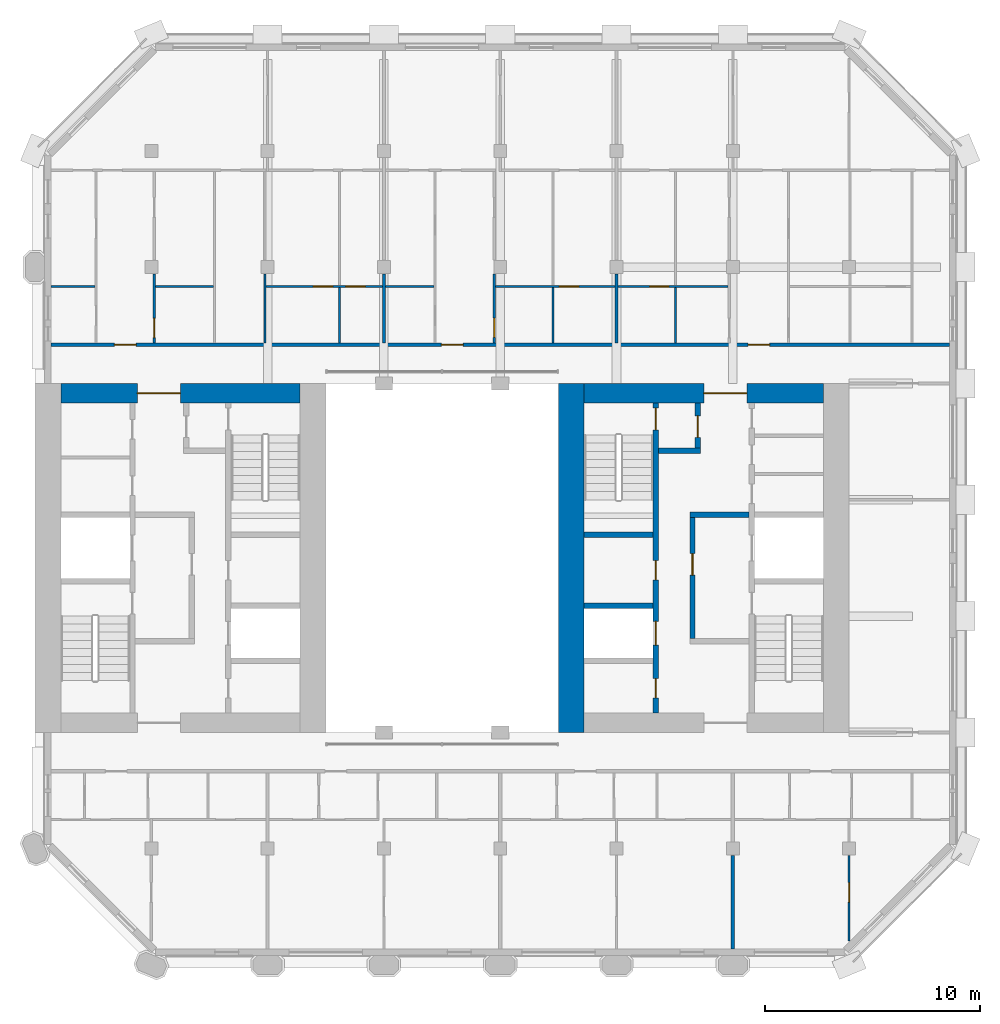
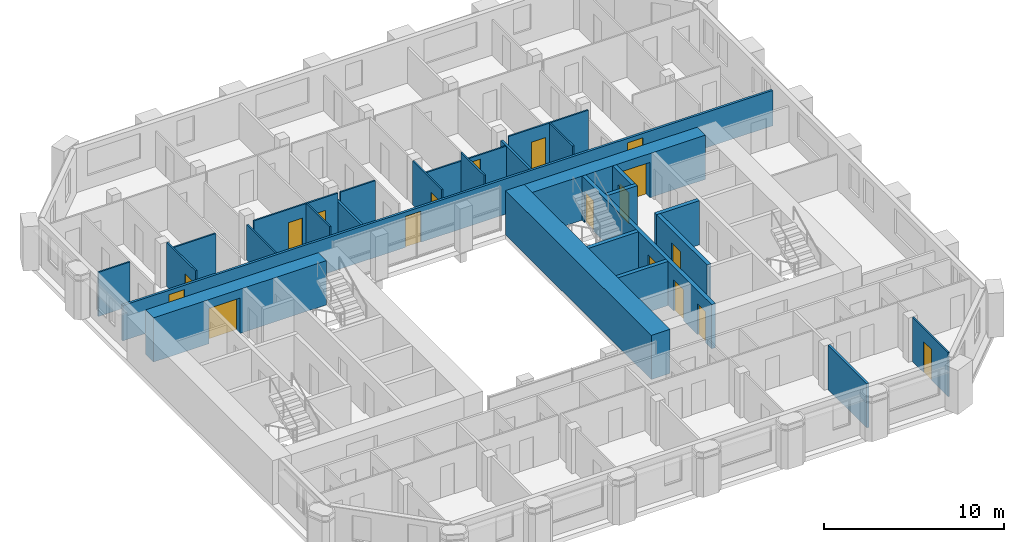
# One storey, part 6 of 13: 27 walls, 18 doors, 18 openings.
"""IFC4 building model written with IfcOpenShell, lengths in metres."""

from ifc_helpers import new_model, si_unit, direction, frame, frame_2d, origin, place, context, subcontext, project, spatial, rectangle, extrude, material, layer, layer_set, type_object, element, fill, save


model = new_model("IFC4")

# Units and contexts
model_context = context("Model", 3, precision=1e-05, world=origin(), true_north=direction((0.0, 1.0)))
body_context = subcontext(model_context, "Body", "Model", "MODEL_VIEW")
ifc_project = project(units=[si_unit("LENGTHUNIT", "METRE"), si_unit("AREAUNIT", "SQUARE_METRE"), si_unit("VOLUMEUNIT", "CUBIC_METRE"), si_unit("PLANEANGLEUNIT", "RADIAN"), si_unit("MASSUNIT", "GRAM", prefix="KILO")], contexts=[model_context])

# Site, building, storey
site_placement = place(None, origin())
site = spatial("IfcSite", under=ifc_project, at=site_placement, CompositionType="ELEMENT")
building_placement = place(site_placement, origin())
building = spatial("IfcBuilding", under=site, at=building_placement, Name="Tabaq Tower and Sports Hall", CompositionType="ELEMENT")
storey_placement = place(building_placement, frame((0.0, 0.0, 298.300048828125)))
storey = spatial("IfcBuildingStorey", under=building, at=storey_placement, Name="L74", CompositionType="ELEMENT", Elevation=298.300048828125)

# Wall
ifc_material_1 = material(Name="Concrete C40/50", Category="concrete")
ifc_layer_1 = layer(ifc_material_1, 1.199951171875)
ifc_layer_set_1 = layer_set([ifc_layer_1], Name="Core wall 1200 Concrete C40/50")
wall_type_1 = type_object("IfcWallType", Name="Core wall 1200 Concrete C40/50", PredefinedType="SOLIDWALL", material=ifc_layer_set_1)
wall_1_placement = place(storey_placement, frame((30.300048828125, 16.199951171875, 0.0), z_axis=(0.0, 0.0, 1.0), x_axis=(0.0, 1.0, 0.0)))
element("IfcWall", 1, at=wall_1_placement, inside=storey, type_object=wall_type_1, Name="Core wall E L74", PredefinedType="SOLIDWALL", context=body_context, shape_type="SweptSolid", body=[
    extrude(rectangle(XDim=16.199951171875, YDim=1.199951171875, at=frame_2d((8.10009765625, 0.0))), origin(), (0.0, 0.0, 1.0), 3.0),
])

# Wall, opening, door
ifc_material_2 = material(Name="Concrete C40/50", Category="concrete")
ifc_layer_2 = layer(ifc_material_2, 0.89990234375)
ifc_layer_set_2 = layer_set([ifc_layer_2], Name="Core wall 900 Concrete C40/50")
wall_type_2 = type_object("IfcWallType", Name="Core wall 900 Concrete C40/50", PredefinedType="SOLIDWALL", material=ifc_layer_set_2)
wall_2_placement = place(storey_placement, frame((6.60009765625, 31.949951171875, 0.0), z_axis=(0.0, 0.0, 1.0), x_axis=(1.0, 0.0, 0.0)))
wall_2 = element("IfcWall", 2, at=wall_2_placement, inside=storey, type_object=wall_type_2, Name="Core wall W L74", PredefinedType="SOLIDWALL", context=body_context, shape_type="SweptSolid", body=[
    extrude(rectangle(XDim=11.099853515625, YDim=0.89990234375, at=frame_2d((5.5498046875, 0.0))), origin(), (0.0, 0.0, 1.0), 3.0),
])
opening_1_placement = place(wall_2_placement, frame((3.550048828125, 0.0, 0.0)))
opening_1 = element("IfcOpeningElement", 3, at=opening_1_placement, cuts=wall_2, Name="Opening PD-WL74-02", PredefinedType="OPENING", context=body_context, shape_type="SweptSolid", body=[
    extrude(rectangle(XDim=2.0, YDim=2.39990234375, at=frame_2d((1.0, 1.199951171875))), frame((0.0, 0.449951171875, 0.0), z_axis=(0.0, -1.0, 0.0), x_axis=(1.0, 0.0, 0.0)), (0.0, 0.0, 1.0), 0.89990234375),
])
ifc_material_3 = material(Name="Steel fire door", Category="steel")
door_type_1 = type_object("IfcDoorType", Name="Core entrance door 2000", OperationType="DOUBLE_DOOR_SINGLE_SWING", PredefinedType="DOOR", material=ifc_material_3)
door_1_placement = place(opening_1_placement, origin())
door_1 = element("IfcDoor", 4, at=door_1_placement, inside=storey, type_object=door_type_1, Name="Core entrance north W L74", OperationType="DOUBLE_DOOR_SINGLE_SWING", OverallHeight=2.39990234375, OverallWidth=2.0, PredefinedType="DOOR", context=body_context, shape_type="SweptSolid", body=[
    extrude(rectangle(XDim=2.0, YDim=2.39990234375, at=frame_2d((1.0, 1.199951171875))), frame((0.0, 0.02490234375, 0.0), z_axis=(0.0, -1.0, 0.0), x_axis=(1.0, 0.0, 0.0)), (0.0, 0.0, 1.0), 0.050048828125),
])
fill(opening_1, door_1)

wall_3_placement = place(storey_placement, frame((30.89990234375, 31.949951171875, 0.0), z_axis=(0.0, 0.0, 1.0), x_axis=(1.0, 0.0, 0.0)))
wall_3 = element("IfcWall", 5, at=wall_3_placement, inside=storey, type_object=wall_type_2, Name="Core wall E L74", PredefinedType="SOLIDWALL", context=body_context, shape_type="SweptSolid", body=[
    extrude(rectangle(XDim=11.10009765625, YDim=0.89990234375, at=frame_2d((5.550048828125, 0.0))), origin(), (0.0, 0.0, 1.0), 3.0),
])
opening_2_placement = place(wall_3_placement, frame((5.550048828125, 0.0, 0.0)))
opening_2 = element("IfcOpeningElement", 6, at=opening_2_placement, cuts=wall_3, Name="Opening PD-EL74-02", PredefinedType="OPENING", context=body_context, shape_type="SweptSolid", body=[
    extrude(rectangle(XDim=2.0, YDim=2.39990234375, at=frame_2d((1.0, 1.199951171875))), frame((0.0, 0.449951171875, 0.0), z_axis=(0.0, -1.0, 0.0), x_axis=(1.0, 0.0, 0.0)), (0.0, 0.0, 1.0), 0.89990234375),
])
door_2_placement = place(opening_2_placement, origin())
door_2 = element("IfcDoor", 7, at=door_2_placement, inside=storey, type_object=door_type_1, Name="Core entrance north E L74", OperationType="DOUBLE_DOOR_SINGLE_SWING", OverallHeight=2.39990234375, OverallWidth=2.0, PredefinedType="DOOR", context=body_context, shape_type="SweptSolid", body=[
    extrude(rectangle(XDim=2.0, YDim=2.39990234375, at=frame_2d((1.0, 1.199951171875))), frame((0.0, 0.02490234375, 0.0), z_axis=(0.0, -1.0, 0.0), x_axis=(1.0, 0.0, 0.0)), (0.0, 0.0, 1.0), 0.050048828125),
])
fill(opening_2, door_2)

# Wall
ifc_material_4 = material(Name="Gypsum board on steel studs", Category="steel")
ifc_layer_3 = layer(ifc_material_4, 0.10009765625)
ifc_layer_set_3 = layer_set([ifc_layer_3], Name="Partition 100 Gypsum board")
wall_type_3 = type_object("IfcWallType", Name="Partition 100 Gypsum board", PredefinedType="PARTITIONING", material=ifc_layer_set_3)
wall_4_placement = place(storey_placement, frame((6.15087890625, 36.89990234375, 0.0), z_axis=(0.0, 0.0, 1.0), x_axis=(1.0, 0.0, 0.0)))
element("IfcWall", 8, at=wall_4_placement, inside=storey, type_object=wall_type_3, Name="Partition wall L74", PredefinedType="PARTITIONING", context=body_context, shape_type="SweptSolid", body=[
    extrude(rectangle(XDim=2.0390625, YDim=0.10009765625, at=frame_2d((1.01953125, 0.0))), origin(), (0.0, 0.0, 1.0), 3.0),
])

# Wall, opening, door
wall_5_placement = place(storey_placement, frame((10.93994140625, 34.27490234375, 0.0), z_axis=(0.0, 0.0, 1.0), x_axis=(0.0, 1.0, 0.0)))
wall_5 = element("IfcWall", 9, at=wall_5_placement, inside=storey, type_object=wall_type_3, Name="Partition wall L74", PredefinedType="PARTITIONING", context=body_context, shape_type="SweptSolid", body=[
    extrude(rectangle(XDim=3.205078125, YDim=0.10009765625, at=frame_2d((1.6025390625, 0.0))), origin(), (0.0, 0.0, 1.0), 3.0),
])
opening_3_placement = place(wall_5_placement, frame((0.25, 0.0, 0.0)))
opening_3 = element("IfcOpeningElement", 10, at=opening_3_placement, cuts=wall_5, Name="Opening L74-004", PredefinedType="OPENING", context=body_context, shape_type="SweptSolid", body=[
    extrude(rectangle(XDim=0.89990234375, YDim=2.10009765625, at=frame_2d((0.449951171875, 1.050048828125))), frame((0.0, 0.050048828125, 0.0), z_axis=(0.0, -1.0, 0.0), x_axis=(1.0, 0.0, 0.0)), (0.0, 0.0, 1.0), 0.10009765625),
])
ifc_material_5 = material(Name="Timber leaf in steel frame", Category="steel")
door_type_2 = type_object("IfcDoorType", Name="Internal door 900 right hand", OperationType="SINGLE_SWING_RIGHT", PredefinedType="DOOR", material=ifc_material_5)
door_3_placement = place(opening_3_placement, origin())
door_3 = element("IfcDoor", 11, at=door_3_placement, inside=storey, type_object=door_type_2, Name="Internal door L74-004", OperationType="SINGLE_SWING_RIGHT", OverallHeight=2.10009765625, OverallWidth=0.89990234375, PredefinedType="DOOR", context=body_context, shape_type="SweptSolid", body=[
    extrude(rectangle(XDim=0.89990234375, YDim=2.10009765625, at=frame_2d((0.449951171875, 1.050048828125))), frame((0.0, 0.02490234375, 0.0), z_axis=(0.0, -1.0, 0.0), x_axis=(1.0, 0.0, 0.0)), (0.0, 0.0, 1.0), 0.050048828125),
])
fill(opening_3, door_3)

# Walls
wall_6_placement = place(storey_placement, frame((10.989990234375, 36.89990234375, 0.0), z_axis=(0.0, 0.0, 1.0), x_axis=(1.0, 0.0, 0.0)))
element("IfcWall", 12, at=wall_6_placement, inside=storey, type_object=wall_type_3, Name="Partition wall L74", PredefinedType="PARTITIONING", context=body_context, shape_type="SweptSolid", body=[
    extrude(rectangle(XDim=2.699951171875, YDim=0.10009765625, at=frame_2d((1.35009765625, 0.0))), origin(), (0.0, 0.0, 1.0), 3.0),
])
wall_7_placement = place(storey_placement, frame((16.080078125, 34.27490234375, 0.0), z_axis=(0.0, 0.0, 1.0), x_axis=(0.0, 1.0, 0.0)))
element("IfcWall", 13, at=wall_7_placement, inside=storey, type_object=wall_type_3, Name="Partition wall L74", PredefinedType="PARTITIONING", context=body_context, shape_type="SweptSolid", body=[
    extrude(rectangle(XDim=3.205078125, YDim=0.10009765625, at=frame_2d((1.6025390625, 0.0))), origin(), (0.0, 0.0, 1.0), 2.39990234375),
])
wall_8_placement = place(storey_placement, frame((19.530029296875, 34.27490234375, 0.0), z_axis=(0.0, 0.0, 1.0), x_axis=(0.0, 1.0, 0.0)))
element("IfcWall", 14, at=wall_8_placement, inside=storey, type_object=wall_type_3, Name="Partition wall L74", PredefinedType="PARTITIONING", context=body_context, shape_type="SweptSolid", body=[
    extrude(rectangle(XDim=2.5751953125, YDim=0.10009765625, at=frame_2d((1.28759765625, 0.0))), origin(), (0.0, 0.0, 1.0), 3.0),
])

# Wall, openings, doors
wall_9_placement = place(storey_placement, frame((16.1298828125, 36.89990234375, 0.0), z_axis=(0.0, 0.0, 1.0), x_axis=(1.0, 0.0, 0.0)))
wall_9 = element("IfcWall", 15, at=wall_9_placement, inside=storey, type_object=wall_type_3, Name="Partition wall L74", PredefinedType="PARTITIONING", context=body_context, shape_type="SweptSolid", body=[
    extrude(rectangle(XDim=5.39501953125, YDim=0.10009765625, at=frame_2d((2.697509765625, 0.0))), origin(), (0.0, 0.0, 1.0), 3.0),
])
opening_4_placement = place(wall_9_placement, frame((2.199951171875, 0.0, 0.0)))
opening_4 = element("IfcOpeningElement", 16, at=opening_4_placement, cuts=wall_9, Name="Opening L74-005", PredefinedType="OPENING", context=body_context, shape_type="SweptSolid", body=[
    extrude(rectangle(XDim=0.89990234375, YDim=2.10009765625, at=frame_2d((0.449951171875, 1.050048828125))), frame((0.0, 0.050048828125, 0.0), z_axis=(0.0, -1.0, 0.0), x_axis=(1.0, 0.0, 0.0)), (0.0, 0.0, 1.0), 0.10009765625),
])
opening_5_placement = place(wall_9_placement, frame((3.699951171875, 0.0, 0.0)))
opening_5 = element("IfcOpeningElement", 17, at=opening_5_placement, cuts=wall_9, Name="Opening L74-006", PredefinedType="OPENING", context=body_context, shape_type="SweptSolid", body=[
    extrude(rectangle(XDim=0.89990234375, YDim=2.10009765625, at=frame_2d((0.449951171875, 1.050048828125))), frame((0.0, 0.050048828125, 0.0), z_axis=(0.0, -1.0, 0.0), x_axis=(1.0, 0.0, 0.0)), (0.0, 0.0, 1.0), 0.10009765625),
])
ifc_material_6 = material(Name="Timber leaf in steel frame", Category="steel")
door_type_3 = type_object("IfcDoorType", Name="Internal door 900 left hand", OperationType="SINGLE_SWING_LEFT", PredefinedType="DOOR", material=ifc_material_6)
door_4_placement = place(opening_4_placement, origin())
door_4 = element("IfcDoor", 18, at=door_4_placement, inside=storey, type_object=door_type_3, Name="Internal door L74-005", OperationType="SINGLE_SWING_LEFT", OverallHeight=2.10009765625, OverallWidth=0.89990234375, PredefinedType="DOOR", context=body_context, shape_type="SweptSolid", body=[
    extrude(rectangle(XDim=0.89990234375, YDim=2.10009765625, at=frame_2d((0.449951171875, 1.050048828125))), frame((0.0, 0.02490234375, 0.0), z_axis=(0.0, -1.0, 0.0), x_axis=(1.0, 0.0, 0.0)), (0.0, 0.0, 1.0), 0.050048828125),
])
fill(opening_4, door_4)
door_5_placement = place(opening_5_placement, origin())
door_5 = element("IfcDoor", 19, at=door_5_placement, inside=storey, type_object=door_type_3, Name="Internal door L74-006", OperationType="SINGLE_SWING_LEFT", OverallHeight=2.10009765625, OverallWidth=0.89990234375, PredefinedType="DOOR", context=body_context, shape_type="SweptSolid", body=[
    extrude(rectangle(XDim=0.89990234375, YDim=2.10009765625, at=frame_2d((0.449951171875, 1.050048828125))), frame((0.0, 0.02490234375, 0.0), z_axis=(0.0, -1.0, 0.0), x_axis=(1.0, 0.0, 0.0)), (0.0, 0.0, 1.0), 0.050048828125),
])
fill(opening_5, door_5)

# Wall
wall_10_placement = place(storey_placement, frame((21.675048828125, 36.89990234375, 0.0), z_axis=(0.0, 0.0, 1.0), x_axis=(1.0, 0.0, 0.0)))
element("IfcWall", 20, at=wall_10_placement, inside=storey, type_object=wall_type_3, Name="Partition wall L74", PredefinedType="PARTITIONING", context=body_context, shape_type="SweptSolid", body=[
    extrude(rectangle(XDim=2.2470703125, YDim=0.10009765625, at=frame_2d((1.12353515625, 0.0))), origin(), (0.0, 0.0, 1.0), 3.0),
])

# Wall, opening, door
wall_11_placement = place(storey_placement, frame((26.721923828125, 34.27490234375, 0.0), z_axis=(0.0, 0.0, 1.0), x_axis=(0.0, 1.0, 0.0)))
wall_11 = element("IfcWall", 21, at=wall_11_placement, inside=storey, type_object=wall_type_3, Name="Partition wall L74", PredefinedType="PARTITIONING", context=body_context, shape_type="SweptSolid", body=[
    extrude(rectangle(XDim=3.205078125, YDim=0.10009765625, at=frame_2d((1.6025390625, 0.0))), origin(), (0.0, 0.0, 1.0), 3.0),
])
opening_6_placement = place(wall_11_placement, frame((0.262451171875, 0.0, 0.0)))
opening_6 = element("IfcOpeningElement", 22, at=opening_6_placement, cuts=wall_11, Name="Opening L74-009", PredefinedType="OPENING", context=body_context, shape_type="SweptSolid", body=[
    extrude(rectangle(XDim=0.89990234375, YDim=2.10009765625, at=frame_2d((0.449951171875, 1.050048828125))), frame((0.0, 0.050048828125, 0.0), z_axis=(0.0, -1.0, 0.0), x_axis=(1.0, 0.0, 0.0)), (0.0, 0.0, 1.0), 0.10009765625),
])
door_6_placement = place(opening_6_placement, origin())
door_6 = element("IfcDoor", 23, at=door_6_placement, inside=storey, type_object=door_type_3, Name="Internal door L74-009", OperationType="SINGLE_SWING_LEFT", OverallHeight=2.10009765625, OverallWidth=0.89990234375, PredefinedType="DOOR", context=body_context, shape_type="SweptSolid", body=[
    extrude(rectangle(XDim=0.89990234375, YDim=2.10009765625, at=frame_2d((0.449951171875, 1.050048828125))), frame((0.0, 0.02490234375, 0.0), z_axis=(0.0, -1.0, 0.0), x_axis=(1.0, 0.0, 0.0)), (0.0, 0.0, 1.0), 0.050048828125),
])
fill(opening_6, door_6)

# Wall
wall_12_placement = place(storey_placement, frame((29.449951171875, 34.27490234375, 0.0), z_axis=(0.0, 0.0, 1.0), x_axis=(0.0, 1.0, 0.0)))
element("IfcWall", 24, at=wall_12_placement, inside=storey, type_object=wall_type_3, Name="Partition wall L74", PredefinedType="PARTITIONING", context=body_context, shape_type="SweptSolid", body=[
    extrude(rectangle(XDim=2.5751953125, YDim=0.10009765625, at=frame_2d((1.28759765625, 0.0))), origin(), (0.0, 0.0, 1.0), 3.0),
])

# Wall, opening, door
wall_13_placement = place(storey_placement, frame((26.77197265625, 36.89990234375, 0.0), z_axis=(0.0, 0.0, 1.0), x_axis=(1.0, 0.0, 0.0)))
wall_13 = element("IfcWall", 25, at=wall_13_placement, inside=storey, type_object=wall_type_3, Name="Partition wall L74", PredefinedType="PARTITIONING", context=body_context, shape_type="SweptSolid", body=[
    extrude(rectangle(XDim=5.552978515625, YDim=0.10009765625, at=frame_2d((2.7763671875, 0.0))), origin(), (0.0, 0.0, 1.0), 2.39990234375),
])
opening_7_placement = place(wall_13_placement, frame((2.97802734375, 0.0, 0.0)))
opening_7 = element("IfcOpeningElement", 26, at=opening_7_placement, cuts=wall_13, Name="Opening L74-010", PredefinedType="OPENING", context=body_context, shape_type="SweptSolid", body=[
    extrude(rectangle(XDim=0.89990234375, YDim=2.10009765625, at=frame_2d((0.449951171875, 1.050048828125))), frame((0.0, 0.050048828125, 0.0), z_axis=(0.0, -1.0, 0.0), x_axis=(1.0, 0.0, 0.0)), (0.0, 0.0, 1.0), 0.10009765625),
])
door_7_placement = place(opening_7_placement, origin())
door_7 = element("IfcDoor", 27, at=door_7_placement, inside=storey, type_object=door_type_3, Name="Internal door L74-010", OperationType="SINGLE_SWING_LEFT", OverallHeight=2.10009765625, OverallWidth=0.89990234375, PredefinedType="DOOR", context=body_context, shape_type="SweptSolid", body=[
    extrude(rectangle(XDim=0.89990234375, YDim=2.10009765625, at=frame_2d((0.449951171875, 1.050048828125))), frame((0.0, 0.02490234375, 0.0), z_axis=(0.0, -1.0, 0.0), x_axis=(1.0, 0.0, 0.0)), (0.0, 0.0, 1.0), 0.050048828125),
])
fill(opening_7, door_7)

# Wall
wall_14_placement = place(storey_placement, frame((35.135009765625, 34.27490234375, 0.0), z_axis=(0.0, 0.0, 1.0), x_axis=(0.0, 1.0, 0.0)))
element("IfcWall", 28, at=wall_14_placement, inside=storey, type_object=wall_type_3, Name="Partition wall L74", PredefinedType="PARTITIONING", context=body_context, shape_type="SweptSolid", body=[
    extrude(rectangle(XDim=2.5751953125, YDim=0.10009765625, at=frame_2d((1.28759765625, 0.0))), origin(), (0.0, 0.0, 1.0), 3.0),
])

# Wall, opening, door
wall_15_placement = place(storey_placement, frame((32.47509765625, 36.89990234375, 0.0), z_axis=(0.0, 0.0, 1.0), x_axis=(1.0, 0.0, 0.0)))
wall_15 = element("IfcWall", 29, at=wall_15_placement, inside=storey, type_object=wall_type_3, Name="Partition wall L74", PredefinedType="PARTITIONING", context=body_context, shape_type="SweptSolid", body=[
    extrude(rectangle(XDim=5.10986328125, YDim=0.10009765625, at=frame_2d((2.554931640625, 0.0))), origin(), (0.0, 0.0, 1.0), 3.0),
])
opening_8_placement = place(wall_15_placement, frame((1.4599609375, 0.0, 0.0)))
opening_8 = element("IfcOpeningElement", 30, at=opening_8_placement, cuts=wall_15, Name="Opening L74-012", PredefinedType="OPENING", context=body_context, shape_type="SweptSolid", body=[
    extrude(rectangle(XDim=0.89990234375, YDim=2.10009765625, at=frame_2d((0.449951171875, 1.050048828125))), frame((0.0, 0.050048828125, 0.0), z_axis=(0.0, -1.0, 0.0), x_axis=(1.0, 0.0, 0.0)), (0.0, 0.0, 1.0), 0.10009765625),
])
door_8_placement = place(opening_8_placement, origin())
door_8 = element("IfcDoor", 31, at=door_8_placement, inside=storey, type_object=door_type_3, Name="Internal door L74-012", OperationType="SINGLE_SWING_LEFT", OverallHeight=2.10009765625, OverallWidth=0.89990234375, PredefinedType="DOOR", context=body_context, shape_type="SweptSolid", body=[
    extrude(rectangle(XDim=0.89990234375, YDim=2.10009765625, at=frame_2d((0.449951171875, 1.050048828125))), frame((0.0, 0.02490234375, 0.0), z_axis=(0.0, -1.0, 0.0), x_axis=(1.0, 0.0, 0.0)), (0.0, 0.0, 1.0), 0.050048828125),
])
fill(opening_8, door_8)

wall_16_placement = place(storey_placement, frame((43.199951171875, 6.51220703125, 0.0), z_axis=(0.0, 0.0, 1.0), x_axis=(0.0, 1.0, 0.0)))
wall_16 = element("IfcWall", 32, at=wall_16_placement, inside=storey, type_object=wall_type_3, Name="Partition wall L74", PredefinedType="PARTITIONING", context=body_context, shape_type="SweptSolid", body=[
    extrude(rectangle(XDim=3.9677734375, YDim=0.10009765625, at=frame_2d((1.98388671875, 0.0))), origin(), (0.0, 0.0, 1.0), 3.0),
])
opening_9_placement = place(wall_16_placement, frame((1.81298828125, 0.0, 0.0)))
opening_9 = element("IfcOpeningElement", 33, at=opening_9_placement, cuts=wall_16, Name="Opening L74-048", PredefinedType="OPENING", context=body_context, shape_type="SweptSolid", body=[
    extrude(rectangle(XDim=0.89990234375, YDim=2.10009765625, at=frame_2d((0.449951171875, 1.050048828125))), frame((0.0, 0.050048828125, 0.0), z_axis=(0.0, -1.0, 0.0), x_axis=(1.0, 0.0, 0.0)), (0.0, 0.0, 1.0), 0.10009765625),
])
door_9_placement = place(opening_9_placement, origin())
door_9 = element("IfcDoor", 34, at=door_9_placement, inside=storey, type_object=door_type_3, Name="Internal door L74-048", OperationType="SINGLE_SWING_LEFT", OverallHeight=2.10009765625, OverallWidth=0.89990234375, PredefinedType="DOOR", context=body_context, shape_type="SweptSolid", body=[
    extrude(rectangle(XDim=0.89990234375, YDim=2.10009765625, at=frame_2d((0.449951171875, 1.050048828125))), frame((0.0, 0.02490234375, 0.0), z_axis=(0.0, -1.0, 0.0), x_axis=(1.0, 0.0, 0.0)), (0.0, 0.0, 1.0), 0.050048828125),
])
fill(opening_9, door_9)

# Walls
ifc_material_7 = material(Name="Blockwork", Category="masonry")
ifc_layer_4 = layer(ifc_material_7, 0.14990234375)
ifc_layer_set_4 = layer_set([ifc_layer_4], Name="Separating wall 150 Blockwork")
wall_type_4 = type_object("IfcWallType", Name="Separating wall 150 Blockwork", PredefinedType="PARTITIONING", material=ifc_layer_set_4)
for number, where, z_axis, x_axis, name in (
    (35, (21.60009765625, 34.27490234375, 0.0), (0.0, 0.0, 1.0), (0.0, 1.0, 0.0), "Separating wall L74"),
    (36, (32.39990234375, 34.27490234375, 0.0), (0.0, 0.0, 1.0), (0.0, 1.0, 0.0), "Separating wall L74"),
):
    element("IfcWall", number, at=place(storey_placement, frame(where, z_axis=z_axis, x_axis=x_axis)), inside=storey, type_object=wall_type_4, Name=name, PredefinedType="PARTITIONING", context=body_context, shape_type="SweptSolid", body=[
        extrude(rectangle(XDim=3.205078125, YDim=0.14990234375, at=frame_2d((1.6025390625, 0.0))), origin(), (0.0, 0.0, 1.0), 2.39990234375),
    ])

# Wall, openings, doors
wall_17_placement = place(storey_placement, frame((6.15087890625, 34.199951171875, 0.0), z_axis=(0.0, 0.0, 1.0), x_axis=(1.0, 0.0, 0.0)))
wall_17 = element("IfcWall", 37, at=wall_17_placement, inside=storey, type_object=wall_type_4, Name="Separating wall L74", PredefinedType="PARTITIONING", context=body_context, shape_type="SweptSolid", body=[
    extrude(rectangle(XDim=41.6982421875, YDim=0.14990234375, at=frame_2d((20.84912109375, 0.0))), origin(), (0.0, 0.0, 1.0), 2.39990234375),
])
opening_10_placement = place(wall_17_placement, frame((2.93896484375, 0.0, 0.0)))
opening_10 = element("IfcOpeningElement", 38, at=opening_10_placement, cuts=wall_17, Name="Opening L74-064", PredefinedType="OPENING", context=body_context, shape_type="SweptSolid", body=[
    extrude(rectangle(XDim=1.0, YDim=2.10009765625, at=frame_2d((0.5, 1.050048828125))), frame((0.0, 0.074951171875, 0.0), z_axis=(0.0, -1.0, 0.0), x_axis=(1.0, 0.0, 0.0)), (0.0, 0.0, 1.0), 0.14990234375),
])
opening_11_placement = place(wall_17_placement, frame((18.12109375, 0.0, 0.0)))
opening_11 = element("IfcOpeningElement", 39, at=opening_11_placement, cuts=wall_17, Name="Opening L74-065", PredefinedType="OPENING", context=body_context, shape_type="SweptSolid", body=[
    extrude(rectangle(XDim=1.0, YDim=2.10009765625, at=frame_2d((0.5, 1.050048828125))), frame((0.0, 0.074951171875, 0.0), z_axis=(0.0, -1.0, 0.0), x_axis=(1.0, 0.0, 0.0)), (0.0, 0.0, 1.0), 0.14990234375),
])
opening_12_placement = place(wall_17_placement, frame((32.35888671875, 0.0, 0.0)))
opening_12 = element("IfcOpeningElement", 40, at=opening_12_placement, cuts=wall_17, Name="Opening L74-066", PredefinedType="OPENING", context=body_context, shape_type="SweptSolid", body=[
    extrude(rectangle(XDim=1.0, YDim=2.10009765625, at=frame_2d((0.5, 1.050048828125))), frame((0.0, 0.074951171875, 0.0), z_axis=(0.0, -1.0, 0.0), x_axis=(1.0, 0.0, 0.0)), (0.0, 0.0, 1.0), 0.14990234375),
])
ifc_material_8 = material(Name="Steel fire door", Category="steel")
door_type_4 = type_object("IfcDoorType", Name="Entrance door 1000 left hand", OperationType="SINGLE_SWING_LEFT", PredefinedType="DOOR", material=ifc_material_8)
door_10_placement = place(opening_10_placement, origin())
door_10 = element("IfcDoor", 41, at=door_10_placement, inside=storey, type_object=door_type_4, Name="Entrance door L74-064", OperationType="SINGLE_SWING_LEFT", OverallHeight=2.10009765625, OverallWidth=1.0, PredefinedType="DOOR", context=body_context, shape_type="SweptSolid", body=[
    extrude(rectangle(XDim=1.0, YDim=2.10009765625, at=frame_2d((0.5, 1.050048828125))), frame((0.0, 0.02490234375, 0.0), z_axis=(0.0, -1.0, 0.0), x_axis=(1.0, 0.0, 0.0)), (0.0, 0.0, 1.0), 0.050048828125),
])
fill(opening_10, door_10)
door_11_placement = place(opening_11_placement, origin())
door_11 = element("IfcDoor", 42, at=door_11_placement, inside=storey, type_object=door_type_4, Name="Entrance door L74-065", OperationType="SINGLE_SWING_LEFT", OverallHeight=2.10009765625, OverallWidth=1.0, PredefinedType="DOOR", context=body_context, shape_type="SweptSolid", body=[
    extrude(rectangle(XDim=1.0, YDim=2.10009765625, at=frame_2d((0.5, 1.050048828125))), frame((0.0, 0.02490234375, 0.0), z_axis=(0.0, -1.0, 0.0), x_axis=(1.0, 0.0, 0.0)), (0.0, 0.0, 1.0), 0.050048828125),
])
fill(opening_11, door_11)
door_12_placement = place(opening_12_placement, origin())
door_12 = element("IfcDoor", 43, at=door_12_placement, inside=storey, type_object=door_type_4, Name="Entrance door L74-066", OperationType="SINGLE_SWING_LEFT", OverallHeight=2.10009765625, OverallWidth=1.0, PredefinedType="DOOR", context=body_context, shape_type="SweptSolid", body=[
    extrude(rectangle(XDim=1.0, YDim=2.10009765625, at=frame_2d((0.5, 1.050048828125))), frame((0.0, 0.02490234375, 0.0), z_axis=(0.0, -1.0, 0.0), x_axis=(1.0, 0.0, 0.0)), (0.0, 0.0, 1.0), 0.050048828125),
])
fill(opening_12, door_12)

# Wall
wall_18_placement = place(storey_placement, frame((37.800048828125, 6.15087890625, 0.0), z_axis=(0.0, 0.0, 1.0), x_axis=(0.0, 1.0, 0.0)))
element("IfcWall", 44, at=wall_18_placement, inside=storey, type_object=wall_type_4, Name="Separating wall L74", PredefinedType="PARTITIONING", context=body_context, shape_type="SweptSolid", body=[
    extrude(rectangle(XDim=4.3291015625, YDim=0.14990234375, at=frame_2d((2.16455078125, 0.0))), origin(), (0.0, 0.0, 1.0), 3.0),
])

# Wall, openings, doors
ifc_material_9 = material(Name="Concrete C40/50", Category="concrete")
ifc_layer_5 = layer(ifc_material_9, 0.25)
ifc_layer_set_5 = layer_set([ifc_layer_5], Name="Shaft and stair wall 250 Concrete C40/50")
wall_type_5 = type_object("IfcWallType", Name="Shaft and stair wall 250 Concrete C40/50", PredefinedType="SOLIDWALL", material=ifc_layer_set_5)
wall_19_placement = place(storey_placement, frame((34.22509765625, 17.10009765625, 0.0), z_axis=(0.0, 0.0, 1.0), x_axis=(0.0, 1.0, 0.0)))
wall_19 = element("IfcWall", 45, at=wall_19_placement, inside=storey, type_object=wall_type_5, Name="Shaft wall E L74", PredefinedType="SOLIDWALL", context=body_context, shape_type="SweptSolid", body=[
    extrude(rectangle(XDim=14.39990234375, YDim=0.25, at=frame_2d((7.199951171875, 0.0))), origin(), (0.0, 0.0, 1.0), 3.0),
])
opening_13_placement = place(wall_19_placement, frame((13.14990234375, 0.0, 0.0)))
opening_13 = element("IfcOpeningElement", 46, at=opening_13_placement, cuts=wall_19, Name="Opening SD-EL74-05", PredefinedType="OPENING", context=body_context, shape_type="SweptSolid", body=[
    extrude(rectangle(XDim=1.0, YDim=2.10009765625, at=frame_2d((0.5, 1.050048828125))), frame((0.0, 0.125, 0.0), z_axis=(0.0, -1.0, 0.0), x_axis=(1.0, 0.0, 0.0)), (0.0, 0.0, 1.0), 0.25),
])
opening_14_placement = place(wall_19_placement, frame((3.14990234375, 0.0, 0.0)))
opening_14 = element("IfcOpeningElement", 47, at=opening_14_placement, cuts=wall_19, Name="Opening LD-HR2-L74", PredefinedType="OPENING", context=body_context, shape_type="SweptSolid", body=[
    extrude(rectangle(XDim=1.10009765625, YDim=2.10009765625, at=frame_2d((0.550048828125, 1.050048828125))), frame((0.0, 0.125, 0.0), z_axis=(0.0, -1.0, 0.0), x_axis=(1.0, 0.0, 0.0)), (0.0, 0.0, 1.0), 0.25),
])
opening_15_placement = place(wall_19_placement, frame((0.699951171875, 0.0, 0.0)))
opening_15 = element("IfcOpeningElement", 48, at=opening_15_placement, cuts=wall_19, Name="Opening RD-EL74-12", PredefinedType="OPENING", context=body_context, shape_type="SweptSolid", body=[
    extrude(rectangle(XDim=0.89990234375, YDim=2.10009765625, at=frame_2d((0.449951171875, 1.050048828125))), frame((0.0, 0.125, 0.0), z_axis=(0.0, -1.0, 0.0), x_axis=(1.0, 0.0, 0.0)), (0.0, 0.0, 1.0), 0.25),
])
opening_16_placement = place(wall_19_placement, frame((6.175048828125, 0.0, 0.0)))
opening_16 = element("IfcOpeningElement", 49, at=opening_16_placement, cuts=wall_19, Name="Opening RD-EL74-13", PredefinedType="OPENING", context=body_context, shape_type="SweptSolid", body=[
    extrude(rectangle(XDim=0.89990234375, YDim=2.10009765625, at=frame_2d((0.449951171875, 1.050048828125))), frame((0.0, 0.125, 0.0), z_axis=(0.0, -1.0, 0.0), x_axis=(1.0, 0.0, 0.0)), (0.0, 0.0, 1.0), 0.25),
])
ifc_material_10 = material(Name="Steel fire door", Category="steel")
door_type_5 = type_object("IfcDoorType", Name="Core room door 900", OperationType="SINGLE_SWING_LEFT", PredefinedType="DOOR", material=ifc_material_10)
door_13_placement = place(opening_15_placement, origin())
door_13 = element("IfcDoor", 50, at=door_13_placement, inside=storey, type_object=door_type_5, Name="Door Electrical Riser Room E L74", OperationType="SINGLE_SWING_LEFT", OverallHeight=2.10009765625, OverallWidth=0.89990234375, PredefinedType="DOOR", context=body_context, shape_type="SweptSolid", body=[
    extrude(rectangle(XDim=0.89990234375, YDim=2.10009765625, at=frame_2d((0.449951171875, 1.050048828125))), frame((0.0, 0.02490234375, 0.0), z_axis=(0.0, -1.0, 0.0), x_axis=(1.0, 0.0, 0.0)), (0.0, 0.0, 1.0), 0.050048828125),
])
fill(opening_15, door_13)
door_14_placement = place(opening_16_placement, origin())
door_14 = element("IfcDoor", 51, at=door_14_placement, inside=storey, type_object=door_type_5, Name="Door Riser Room E L74", OperationType="SINGLE_SWING_LEFT", OverallHeight=2.10009765625, OverallWidth=0.89990234375, PredefinedType="DOOR", context=body_context, shape_type="SweptSolid", body=[
    extrude(rectangle(XDim=0.89990234375, YDim=2.10009765625, at=frame_2d((0.449951171875, 1.050048828125))), frame((0.0, 0.02490234375, 0.0), z_axis=(0.0, -1.0, 0.0), x_axis=(1.0, 0.0, 0.0)), (0.0, 0.0, 1.0), 0.050048828125),
])
fill(opening_16, door_14)
ifc_material_11 = material(Name="Stainless steel", Category="steel")
door_type_6 = type_object("IfcDoorType", Name="Lift landing door 1100", OperationType="DOUBLE_DOOR_SLIDING", PredefinedType="DOOR", material=ifc_material_11)
door_15_placement = place(opening_14_placement, origin())
door_15 = element("IfcDoor", 52, at=door_15_placement, inside=storey, type_object=door_type_6, Name="Lift landing door HR2 E L74", OperationType="DOUBLE_DOOR_SLIDING", OverallHeight=2.10009765625, OverallWidth=1.10009765625, PredefinedType="DOOR", context=body_context, shape_type="SweptSolid", body=[
    extrude(rectangle(XDim=1.10009765625, YDim=2.10009765625, at=frame_2d((0.550048828125, 1.050048828125))), frame((0.0, 0.02490234375, 0.0), z_axis=(0.0, -1.0, 0.0), x_axis=(1.0, 0.0, 0.0)), (0.0, 0.0, 1.0), 0.050048828125),
])
fill(opening_14, door_15)
ifc_material_12 = material(Name="Steel fire door", Category="steel")
door_type_7 = type_object("IfcDoorType", Name="Stair door 1000", OperationType="SINGLE_SWING_LEFT", PredefinedType="DOOR", material=ifc_material_12)
door_16_placement = place(opening_13_placement, origin())
door_16 = element("IfcDoor", 53, at=door_16_placement, inside=storey, type_object=door_type_7, Name="Stair door ST4 E L74", OperationType="SINGLE_SWING_LEFT", OverallHeight=2.10009765625, OverallWidth=1.0, PredefinedType="DOOR", context=body_context, shape_type="SweptSolid", body=[
    extrude(rectangle(XDim=1.0, YDim=2.10009765625, at=frame_2d((0.5, 1.050048828125))), frame((0.0, 0.02490234375, 0.0), z_axis=(0.0, -1.0, 0.0), x_axis=(1.0, 0.0, 0.0)), (0.0, 0.0, 1.0), 0.050048828125),
])
fill(opening_13, door_16)

# Walls
for number, where, z_axis, x_axis, name in (
    (54, (30.89990234375, 25.375, 0.0), (0.0, 0.0, 1.0), (1.0, 0.0, 0.0), "Stair enclosure wall E L74"),
    (55, (30.89990234375, 22.074951171875, 0.0), (0.0, 0.0, 1.0), (1.0, 0.0, 0.0), "Shaft wall E L74"),
):
    element("IfcWall", number, at=place(storey_placement, frame(where, z_axis=z_axis, x_axis=x_axis)), inside=storey, type_object=wall_type_5, Name=name, PredefinedType="SOLIDWALL", context=body_context, shape_type="SweptSolid", body=[
        extrude(rectangle(XDim=3.2001953125, YDim=0.25, at=frame_2d((1.60009765625, 0.0))), origin(), (0.0, 0.0, 1.0), 3.0),
    ])
wall_20_placement = place(storey_placement, frame((35.800048828125, 26.300048828125, 0.0), z_axis=(0.0, 0.0, 1.0), x_axis=(1.0, 0.0, 0.0)))
element("IfcWall", 56, at=wall_20_placement, inside=storey, type_object=wall_type_5, Name="Fire-fighting lobby wall E L74", PredefinedType="SOLIDWALL", context=body_context, shape_type="SweptSolid", body=[
    extrude(rectangle(XDim=2.75, YDim=0.25, at=frame_2d((1.375, 0.0))), origin(), (0.0, 0.0, 1.0), 3.0),
])

# Wall, opening, door
wall_21_placement = place(storey_placement, frame((36.175048828125, 29.39990234375, 0.0), z_axis=(0.0, 0.0, 1.0), x_axis=(0.0, 1.0, 0.0)))
wall_21 = element("IfcWall", 57, at=wall_21_placement, inside=storey, type_object=wall_type_5, Name="Fire-fighting lobby wall E L74", PredefinedType="SOLIDWALL", context=body_context, shape_type="SweptSolid", body=[
    extrude(rectangle(XDim=2.10009765625, YDim=0.25, at=frame_2d((1.050048828125, 0.0))), origin(), (0.0, 0.0, 1.0), 3.0),
])
opening_17_placement = place(wall_21_placement, frame((0.5, 0.0, 0.0)))
opening_17 = element("IfcOpeningElement", 58, at=opening_17_placement, cuts=wall_21, Name="Opening FD-EL74-06", PredefinedType="OPENING", context=body_context, shape_type="SweptSolid", body=[
    extrude(rectangle(XDim=1.0, YDim=2.10009765625, at=frame_2d((0.5, 1.050048828125))), frame((0.0, 0.125, 0.0), z_axis=(0.0, -1.0, 0.0), x_axis=(1.0, 0.0, 0.0)), (0.0, 0.0, 1.0), 0.25),
])
ifc_material_13 = material(Name="Steel fire door", Category="steel")
door_type_8 = type_object("IfcDoorType", Name="Fire-fighting lobby door 1000", OperationType="SINGLE_SWING_LEFT", PredefinedType="DOOR", material=ifc_material_13)
door_17_placement = place(opening_17_placement, origin())
door_17 = element("IfcDoor", 59, at=door_17_placement, inside=storey, type_object=door_type_8, Name="Stair lobby door E L74", OperationType="SINGLE_SWING_LEFT", OverallHeight=2.10009765625, OverallWidth=1.0, PredefinedType="DOOR", context=body_context, shape_type="SweptSolid", body=[
    extrude(rectangle(XDim=1.0, YDim=2.10009765625, at=frame_2d((0.5, 1.050048828125))), frame((0.0, 0.02490234375, 0.0), z_axis=(0.0, -1.0, 0.0), x_axis=(1.0, 0.0, 0.0)), (0.0, 0.0, 1.0), 0.050048828125),
])
fill(opening_17, door_17)

# Wall
wall_22_placement = place(storey_placement, frame((34.35009765625, 29.27490234375, 0.0), z_axis=(0.0, 0.0, 1.0), x_axis=(1.0, 0.0, 0.0)))
element("IfcWall", 60, at=wall_22_placement, inside=storey, type_object=wall_type_5, Name="Fire-fighting lobby wall E L74", PredefinedType="SOLIDWALL", context=body_context, shape_type="SweptSolid", body=[
    extrude(rectangle(XDim=1.949951171875, YDim=0.25, at=frame_2d((0.97509765625, 0.0))), origin(), (0.0, 0.0, 1.0), 3.0),
])

# Wall, opening, door
wall_23_placement = place(storey_placement, frame((35.925048828125, 20.550048828125, 0.0), z_axis=(0.0, 0.0, 1.0), x_axis=(0.0, 1.0, 0.0)))
wall_23 = element("IfcWall", 61, at=wall_23_placement, inside=storey, type_object=wall_type_5, Name="Fire-fighting lobby wall E L74", PredefinedType="SOLIDWALL", context=body_context, shape_type="SweptSolid", body=[
    extrude(rectangle(XDim=5.625, YDim=0.25, at=frame_2d((2.8125, 0.0))), origin(), (0.0, 0.0, 1.0), 3.0),
])
opening_18_placement = place(wall_23_placement, frame((2.949951171875, 0.0, 0.0)))
opening_18 = element("IfcOpeningElement", 62, at=opening_18_placement, cuts=wall_23, Name="Opening FD-EL74-04", PredefinedType="OPENING", context=body_context, shape_type="SweptSolid", body=[
    extrude(rectangle(XDim=1.0, YDim=2.10009765625, at=frame_2d((0.5, 1.050048828125))), frame((0.0, 0.125, 0.0), z_axis=(0.0, -1.0, 0.0), x_axis=(1.0, 0.0, 0.0)), (0.0, 0.0, 1.0), 0.25),
])
door_18_placement = place(opening_18_placement, origin())
door_18 = element("IfcDoor", 63, at=door_18_placement, inside=storey, type_object=door_type_8, Name="Fire-fighting lobby door E L74", OperationType="SINGLE_SWING_LEFT", OverallHeight=2.10009765625, OverallWidth=1.0, PredefinedType="DOOR", context=body_context, shape_type="SweptSolid", body=[
    extrude(rectangle(XDim=1.0, YDim=2.10009765625, at=frame_2d((0.5, 1.050048828125))), frame((0.0, 0.02490234375, 0.0), z_axis=(0.0, -1.0, 0.0), x_axis=(1.0, 0.0, 0.0)), (0.0, 0.0, 1.0), 0.050048828125),
])
fill(opening_18, door_18)

save(model, "model.ifc")
